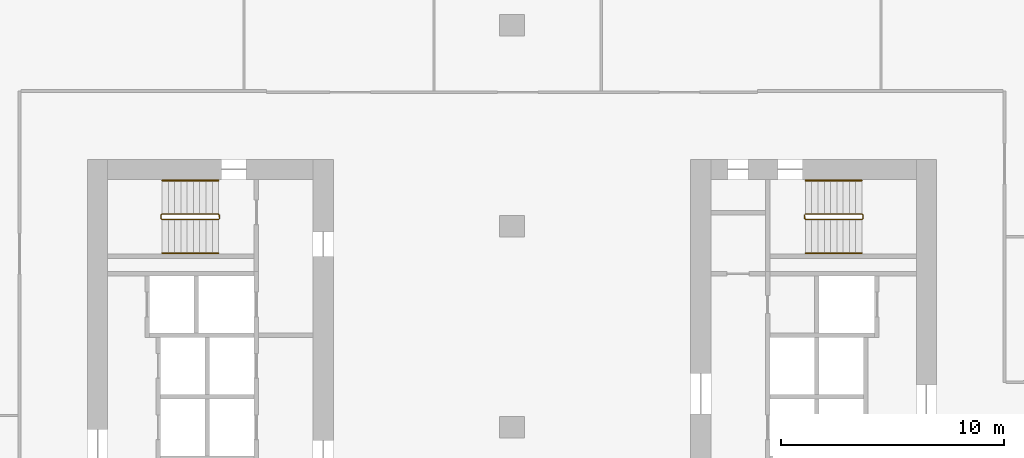
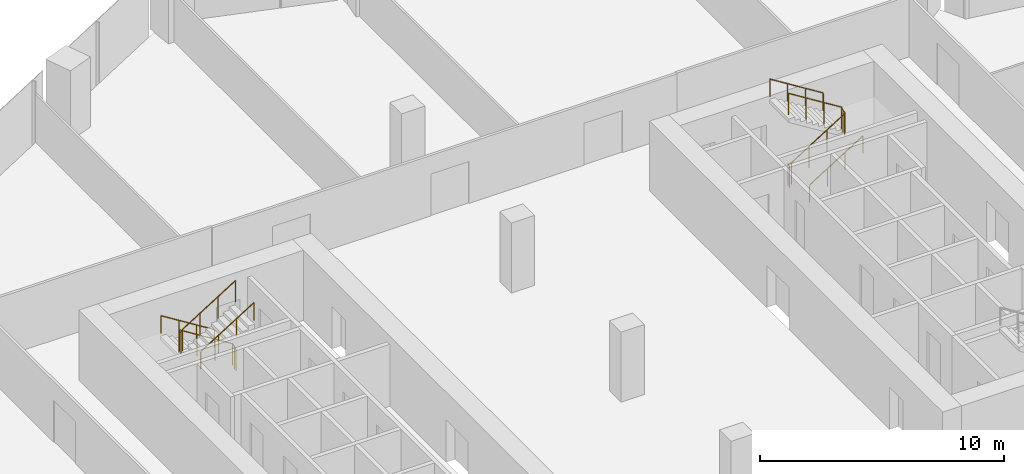
# One storey, part 34 of 34: 6 railings.
"""IFC4 building model written with IfcOpenShell, lengths in metres."""

import ifcopenshell
import ifcopenshell.guid

model = None  # the IFC model being written
_history = None  # IfcOwnerHistory: only IFC2X3 demands one
_inside = {}  # id of a spatial element -> (the spatial element, [elements in it])
_under = {}  # id of a project, library or spatial element -> (it, [spatial elements below it])
_declared = {}  # id of a project -> (the project, [libraries it declares])
_typed = {}  # id of a type object -> (the type object, [elements of that type])
_made_of = {}  # id of a material, layer set ... -> (it, [elements and type objects made of it])


def new_model(schema):
    """Start an empty IFC model of exactly this schema.

    Asked for "IFC4X3", IfcOpenShell would pick the latest addendum, in which some entities
    have other attributes; the version numbers below select the first issue.
    IFC2X3 requires an IfcOwnerHistory on every rooted entity: one is made here for all.
    """
    global model, _history
    if schema == "IFC4X3":
        model = ifcopenshell.file(schema_version=(4, 3, 0, 0))
    else:
        model = ifcopenshell.file(schema=schema)
    _inside.clear()
    _under.clear()
    _declared.clear()
    _typed.clear()
    _made_of.clear()
    _history = None
    if model.schema == "IFC2X3":
        org = make("IfcOrganization", Name="unknown")
        user = make(
            "IfcPersonAndOrganization",
            ThePerson=make("IfcPerson", FamilyName="unknown"),
            TheOrganization=org,
        )
        app = make(
            "IfcApplication",
            ApplicationDeveloper=org,
            Version="unknown",
            ApplicationFullName="unknown",
            ApplicationIdentifier="unknown",
        )
        _history = make(
            "IfcOwnerHistory",
            OwningUser=user,
            OwningApplication=app,
            ChangeAction="ADDED",
            CreationDate=0,
        )
    return model


def make(cls, **values):
    """One entity of the class cls with the attributes given. An attribute that is None is left unset."""
    return model.create_entity(
        cls, **{name: value for name, value in values.items() if value is not None}
    )


def rooted(cls, **values):
    """An entity with a GlobalId (a new one), such as an element, a storey or a relation."""
    return make(cls, GlobalId=ifcopenshell.guid.new(), OwnerHistory=_history, **values)


def si_unit(unit_type, name, prefix=None):
    """IfcSIUnit, for example si_unit("LENGTHUNIT", "METRE", prefix="MILLI")."""
    return make("IfcSIUnit", UnitType=unit_type, Prefix=prefix, Name=name)


def assignment(units):
    """IfcUnitAssignment: the units of a project."""
    return None if units is None else make("IfcUnitAssignment", Units=units)


def point(xyz):
    """IfcCartesianPoint."""
    return None if xyz is None else make("IfcCartesianPoint", Coordinates=xyz)


def direction(xyz):
    """IfcDirection."""
    return None if xyz is None else make("IfcDirection", DirectionRatios=xyz)


def frame(location, z_axis=None, x_axis=None):
    """IfcAxis2Placement3D, a coordinate frame: its origin and axes. An axis left out is left unset."""
    return make(
        "IfcAxis2Placement3D",
        Location=point(location),
        Axis=direction(z_axis),
        RefDirection=direction(x_axis),
    )


def frame_2d(location, x_axis=None):
    """IfcAxis2Placement2D, a coordinate frame in the plane: its origin and x axis."""
    return make(
        "IfcAxis2Placement2D", Location=point(location), RefDirection=direction(x_axis)
    )


def origin():
    """The frame at (0, 0, 0) with its axes left unset."""
    return frame((0.0, 0.0, 0.0))


def origin_2d():
    """The frame at (0, 0) in the plane with its x axis left unset."""
    return frame_2d((0.0, 0.0))


def place(relative_to, where):
    """IfcLocalPlacement: puts the frame where relative to a parent placement (None: the world)."""
    return make(
        "IfcLocalPlacement", PlacementRelTo=relative_to, RelativePlacement=where
    )


def context(
    kind, dimensions, precision=None, world=None, true_north=None, identifier=None
):
    """IfcGeometricRepresentationContext, for example the 3D "Model" context."""
    return make(
        "IfcGeometricRepresentationContext",
        ContextIdentifier=identifier,
        ContextType=kind,
        CoordinateSpaceDimension=dimensions,
        Precision=precision,
        WorldCoordinateSystem=world,
        TrueNorth=true_north,
    )


def subcontext(parent, identifier, kind, view, scale=None):
    """IfcGeometricRepresentationSubContext, for example "Body" below "Model"."""
    return make(
        "IfcGeometricRepresentationSubContext",
        ContextIdentifier=identifier,
        ContextType=kind,
        ParentContext=parent,
        TargetScale=scale,
        TargetView=view,
    )


def project(units=None, contexts=None):
    """IfcProject with its units and contexts."""
    return rooted(
        "IfcProject",
        Name="project",
        RepresentationContexts=contexts,
        UnitsInContext=assignment(units),
    )


def spatial(cls, under=None, at=None, **own):
    """A site, building, storey or space (cls), placed at a placement, below another one or the project."""
    s = rooted(cls, ObjectPlacement=at, **own)
    if under is not None:
        _under.setdefault(under.id(), (under, []))[1].append(s)
    return s


def profile(cls, at=None, kind="AREA", **sizes):
    """A parametric profile (cls). Its sizes go by their IFC names, for example OverallWidth=200.0."""
    return make(cls, ProfileType=kind, Position=at, **sizes)


def circle(**sizes):
    """IfcCircleProfileDef."""
    return profile("IfcCircleProfileDef", **sizes)


def extrude(swept, where, along, depth):
    """IfcExtrudedAreaSolid: the profile swept, set in the frame where, extruded along a direction by depth."""
    return make(
        "IfcExtrudedAreaSolid",
        SweptArea=swept,
        Position=where,
        ExtrudedDirection=direction(along),
        Depth=depth,
    )


def shape(context_of_items, identifier, shape_type, items):
    """IfcShapeRepresentation: the items that make up one representation, for example the "Body"."""
    return make(
        "IfcShapeRepresentation",
        ContextOfItems=context_of_items,
        RepresentationIdentifier=identifier,
        RepresentationType=shape_type,
        Items=items,
    )


def material(Name=None, Category=None):
    """IfcMaterial."""
    return make("IfcMaterial", Name=Name, Category=Category)


def made_of(thing, what):
    """Note that an element or type object is made of a material, layer set ...; save() writes the relation."""
    if what is not None:
        _made_of.setdefault(what.id(), (what, []))[1].append(thing)
    return thing


def type_object(cls, material=None, **own):
    """A type object (cls), such as IfcWallType, which elements share."""
    return made_of(rooted(cls, **own), material)


def element(
    cls,
    number,
    at=None,
    inside=None,
    cuts=None,
    type_object=None,
    material=None,
    context=None,
    identifier="Body",
    shape_type=None,
    held_by="IfcProductDefinitionShape",
    body=None,
    shapes=None,
    **own,
):
    """One element of the class cls, such as IfcWall. Its Tag is "e" and its number.

    at: its placement. inside: the storey or other place that contains it. cuts: it is an
    opening in that element (IfcRelVoidsElement). A single representation is given by context,
    identifier, shape_type and body (its items); several are given by shapes. held_by: the class
    of the entity that holds the representations. save() writes the other relations.
    """
    e = rooted(cls, Tag="e%d" % number, ObjectPlacement=at, **own)
    if body is not None:
        shapes = [shape(context, identifier, shape_type, body)]
    if shapes is not None:
        e.Representation = make(held_by, Representations=shapes)
    if inside is not None:
        _inside.setdefault(inside.id(), (inside, []))[1].append(e)
    if cuts is not None:
        rooted(
            "IfcRelVoidsElement", RelatingBuildingElement=cuts, RelatedOpeningElement=e
        )
    if type_object is not None:
        _typed.setdefault(type_object.id(), (type_object, []))[1].append(e)
    return made_of(e, material)


def aggregate(whole, parts):
    """IfcRelAggregates: a whole, such as a stair, and the parts it consists of."""
    return rooted("IfcRelAggregates", RelatingObject=whole, RelatedObjects=parts)


def save(model, path):
    """Write the relations noted so far, then the file.

    IfcRelAggregates (storeys below a building ...), IfcRelContainedInSpatialStructure (elements
    in a storey), IfcRelDefinesByType, IfcRelAssociatesMaterial and IfcRelDeclares: one each for
    every whole, place, type object, material and project.
    """
    for whole, parts in _under.values():
        aggregate(whole, parts)
    for where, things in _inside.values():
        rooted(
            "IfcRelContainedInSpatialStructure",
            RelatedElements=things,
            RelatingStructure=where,
        )
    for kind, things in _typed.values():
        rooted("IfcRelDefinesByType", RelatedObjects=things, RelatingType=kind)
    for what, things in _made_of.values():
        rooted("IfcRelAssociatesMaterial", RelatedObjects=things, RelatingMaterial=what)
    for by, libraries in _declared.values():
        rooted("IfcRelDeclares", RelatingContext=by, RelatedDefinitions=libraries)
    model.write(path)


model = new_model("IFC4")

# Units and contexts
model_context = context("Model", 3, precision=1e-05, world=origin(), true_north=direction((0.0, 1.0)))
body_context = subcontext(model_context, "Body", "Model", "MODEL_VIEW")
ifc_project = project(units=[si_unit("LENGTHUNIT", "METRE"), si_unit("AREAUNIT", "SQUARE_METRE"), si_unit("VOLUMEUNIT", "CUBIC_METRE"), si_unit("PLANEANGLEUNIT", "RADIAN"), si_unit("MASSUNIT", "GRAM", prefix="KILO")], contexts=[model_context])

# Site, building, storey
site_placement = place(None, origin())
site = spatial("IfcSite", under=ifc_project, at=site_placement, CompositionType="ELEMENT")
building_placement = place(site_placement, origin())
building = spatial("IfcBuilding", under=site, at=building_placement, Name="Orlundy Tower", CompositionType="ELEMENT")
storey_placement = place(building_placement, frame((0.0, 0.0, 134.199951171875)))
storey = spatial("IfcBuildingStorey", under=building, at=storey_placement, Name="L34", CompositionType="ELEMENT", Elevation=134.199951171875)

# Railings
ifc_material_1 = material(Name="Steel balustrade", Category="steel")
railing_type_1 = type_object("IfcRailingType", Name="Stair Guard 1100", PredefinedType="GUARDRAIL", material=ifc_material_1)
railing_1_placement = place(storey_placement, frame((-13.090087890625, 9.5, 0.0)))
element("IfcRailing", 1, at=railing_1_placement, inside=storey, type_object=railing_type_1, Name="L34 ST-W1 stair guard 1", PredefinedType="GUARDRAIL", context=body_context, shape_type="SweptSolid", body=[
    extrude(circle(Radius=0.02392578125, at=origin_2d()), frame((0.0, 0.0, 1.076171875), z_axis=(0.0, -1.0, 0.0), x_axis=(1.0, 0.0, 0.0)), (0.0, 0.0, 1.0), 0.14990234375),
    extrude(circle(Radius=0.02392578125, at=origin_2d()), frame((0.0, -0.14990234375, 1.076171875), z_axis=(-0.18420542264, 0.739530593833, 0.647427882513), x_axis=(-0.970351222016, -0.241699205484, 0.0)), (0.0, 0.0, 1.0), 0.270263671875),
    extrude(circle(Radius=0.02392578125, at=origin_2d()), frame((-0.0498046875, 0.050048828125, 1.2509765625), z_axis=(-0.848007534815, 0.0, 0.529984170421), x_axis=(0.0, -1.0, 0.0)), (0.0, 0.0, 1.0), 2.9716796875),
    extrude(circle(Radius=0.02392578125, at=origin_2d()), frame((-2.56982421875, 0.050048828125, 2.826171875), z_axis=(-0.707106781187, -0.707106781187, 0.0), x_axis=(0.707106781187, -0.707106781187, 0.0)), (0.0, 0.0, 1.0), 0.07080078125),
    extrude(circle(Radius=0.02392578125, at=origin_2d()), frame((-2.619873046875, 0.0, 2.826171875), z_axis=(0.0, -1.0, 0.0), x_axis=(1.0, 0.0, 0.0)), (0.0, 0.0, 1.0), 0.14990234375),
    extrude(circle(Radius=0.02392578125, at=origin_2d()), frame((-2.619873046875, -0.14990234375, 2.826171875), z_axis=(0.265065253269, -0.265065253269, 0.927081885822), x_axis=(0.707106781187, 0.707106781187, 0.0)), (0.0, 0.0, 1.0), 0.188720703125),
    extrude(circle(Radius=0.02392578125, at=origin_2d()), frame((-2.56982421875, -0.199951171875, 3.0009765625), z_axis=(0.848007534815, 0.0, 0.529984170421), x_axis=(0.0, 1.0, 0.0)), (0.0, 0.0, 1.0), 2.9716796875),
    extrude(circle(Radius=0.02099609375, at=origin_2d()), origin(), (0.0, 0.0, 1.0), 1.052001953125),
    extrude(circle(Radius=0.02099609375, at=origin_2d()), frame((0.0, -0.14990234375, 0.0)), (0.0, 0.0, 1.0), 1.052001953125),
    extrude(circle(Radius=0.02099609375, at=origin_2d()), frame((-0.0498046875, 0.050048828125, 0.175048828125)), (0.0, 0.0, 1.0), 1.052001953125),
    extrude(circle(Radius=0.02099609375, at=origin_2d()), frame((-0.889892578125, 0.050048828125, 0.699951171875)), (0.0, 0.0, 1.0), 1.052001953125),
    extrude(circle(Radius=0.02099609375, at=origin_2d()), frame((-1.729736328125, 0.050048828125, 1.22509765625)), (0.0, 0.0, 1.0), 1.052001953125),
    extrude(circle(Radius=0.02099609375, at=origin_2d()), frame((-2.56982421875, 0.050048828125, 1.75)), (0.0, 0.0, 1.0), 1.052001953125),
    extrude(circle(Radius=0.02099609375, at=origin_2d()), frame((-2.619873046875, 0.0, 1.75)), (0.0, 0.0, 1.0), 1.052001953125),
    extrude(circle(Radius=0.02099609375, at=origin_2d()), frame((-2.619873046875, -0.14990234375, 1.75)), (0.0, 0.0, 1.0), 1.052001953125),
    extrude(circle(Radius=0.02099609375, at=origin_2d()), frame((-2.56982421875, -0.199951171875, 1.925048828125)), (0.0, 0.0, 1.0), 1.052001953125),
    extrude(circle(Radius=0.02099609375, at=origin_2d()), frame((-1.729736328125, -0.199951171875, 2.449951171875)), (0.0, 0.0, 1.0), 1.052001953125),
    extrude(circle(Radius=0.02099609375, at=origin_2d()), frame((-0.889892578125, -0.199951171875, 2.97509765625)), (0.0, 0.0, 1.0), 1.052001953125),
    extrude(circle(Radius=0.02099609375, at=origin_2d()), frame((-0.0498046875, -0.199951171875, 3.5)), (0.0, 0.0, 1.0), 1.052001953125),
])
railing_2_placement = place(storey_placement, frame((13.090087890625, 9.35009765625, 0.0)))
element("IfcRailing", 2, at=railing_2_placement, inside=storey, type_object=railing_type_1, Name="L34 ST-E2 stair guard 1", PredefinedType="GUARDRAIL", context=body_context, shape_type="SweptSolid", body=[
    extrude(circle(Radius=0.02392578125, at=origin_2d()), frame((0.0, 0.0, 1.076171875), z_axis=(0.0, 1.0, 0.0), x_axis=(-1.0, 0.0, 0.0)), (0.0, 0.0, 1.0), 0.14990234375),
    extrude(circle(Radius=0.02392578125, at=origin_2d()), frame((0.0, 0.14990234375, 1.076171875), z_axis=(0.18420542264, -0.739530593833, 0.647427882513), x_axis=(0.970351222016, 0.241699205484, 0.0)), (0.0, 0.0, 1.0), 0.270263671875),
    extrude(circle(Radius=0.02392578125, at=origin_2d()), frame((0.0498046875, -0.050048828125, 1.2509765625), z_axis=(0.848007534815, 0.0, 0.529984170421), x_axis=(0.0, 1.0, 0.0)), (0.0, 0.0, 1.0), 2.9716796875),
    extrude(circle(Radius=0.02392578125, at=origin_2d()), frame((2.56982421875, -0.050048828125, 2.826171875), z_axis=(0.707106781187, 0.707106781187, 0.0), x_axis=(-0.707106781187, 0.707106781187, 0.0)), (0.0, 0.0, 1.0), 0.07080078125),
    extrude(circle(Radius=0.02392578125, at=origin_2d()), frame((2.619873046875, 0.0, 2.826171875), z_axis=(0.0, 1.0, 0.0), x_axis=(-1.0, 0.0, 0.0)), (0.0, 0.0, 1.0), 0.14990234375),
    extrude(circle(Radius=0.02392578125, at=origin_2d()), frame((2.619873046875, 0.14990234375, 2.826171875), z_axis=(-0.265065253269, 0.265065253269, 0.927081885822), x_axis=(-0.707106781187, -0.707106781187, 0.0)), (0.0, 0.0, 1.0), 0.188720703125),
    extrude(circle(Radius=0.02392578125, at=origin_2d()), frame((2.56982421875, 0.199951171875, 3.0009765625), z_axis=(-0.848007534815, 0.0, 0.529984170421), x_axis=(0.0, -1.0, 0.0)), (0.0, 0.0, 1.0), 2.9716796875),
    extrude(circle(Radius=0.02099609375, at=origin_2d()), origin(), (0.0, 0.0, 1.0), 1.052001953125),
    extrude(circle(Radius=0.02099609375, at=origin_2d()), frame((0.0, 0.14990234375, 0.0)), (0.0, 0.0, 1.0), 1.052001953125),
    extrude(circle(Radius=0.02099609375, at=origin_2d()), frame((0.0498046875, -0.050048828125, 0.175048828125)), (0.0, 0.0, 1.0), 1.052001953125),
    extrude(circle(Radius=0.02099609375, at=origin_2d()), frame((0.889892578125, -0.050048828125, 0.699951171875)), (0.0, 0.0, 1.0), 1.052001953125),
    extrude(circle(Radius=0.02099609375, at=origin_2d()), frame((1.729736328125, -0.050048828125, 1.22509765625)), (0.0, 0.0, 1.0), 1.052001953125),
    extrude(circle(Radius=0.02099609375, at=origin_2d()), frame((2.56982421875, -0.050048828125, 1.75)), (0.0, 0.0, 1.0), 1.052001953125),
    extrude(circle(Radius=0.02099609375, at=origin_2d()), frame((2.619873046875, 0.0, 1.75)), (0.0, 0.0, 1.0), 1.052001953125),
    extrude(circle(Radius=0.02099609375, at=origin_2d()), frame((2.619873046875, 0.14990234375, 1.75)), (0.0, 0.0, 1.0), 1.052001953125),
    extrude(circle(Radius=0.02099609375, at=origin_2d()), frame((2.56982421875, 0.199951171875, 1.925048828125)), (0.0, 0.0, 1.0), 1.052001953125),
    extrude(circle(Radius=0.02099609375, at=origin_2d()), frame((1.729736328125, 0.199951171875, 2.449951171875)), (0.0, 0.0, 1.0), 1.052001953125),
    extrude(circle(Radius=0.02099609375, at=origin_2d()), frame((0.889892578125, 0.199951171875, 2.97509765625)), (0.0, 0.0, 1.0), 1.052001953125),
    extrude(circle(Radius=0.02099609375, at=origin_2d()), frame((0.0498046875, 0.199951171875, 3.5)), (0.0, 0.0, 1.0), 1.052001953125),
])
ifc_material_2 = material(Name="Steel handrail", Category="steel")
railing_type_2 = type_object("IfcRailingType", Name="Stair Handrail 900", PredefinedType="HANDRAIL", material=ifc_material_2)
railing_3_placement = place(storey_placement, frame((-13.139892578125, 11.050048828125, 0.175048828125)))
element("IfcRailing", 3, at=railing_3_placement, inside=storey, type_object=railing_type_2, Name="L34 ST-W1 stair handrail 1", PredefinedType="HANDRAIL", context=body_context, shape_type="SweptSolid", body=[
    extrude(circle(Radius=0.02392578125, at=origin_2d()), frame((0.0, 0.0, 0.8759765625), z_axis=(-0.848007534815, 0.0, 0.529984170421), x_axis=(0.0, -1.0, 0.0)), (0.0, 0.0, 1.0), 2.9716796875),
    extrude(circle(Radius=0.02099609375, at=origin_2d()), origin(), (0.0, 0.0, 1.0), 0.851806640625),
    extrude(circle(Radius=0.02099609375, at=origin_2d()), frame((-0.840087890625, 0.0, 0.52490234375)), (0.0, 0.0, 1.0), 0.851806640625),
    extrude(circle(Radius=0.02099609375, at=origin_2d()), frame((-1.679931640625, 0.0, 1.050048828125)), (0.0, 0.0, 1.0), 0.851806640625),
    extrude(circle(Radius=0.02099609375, at=origin_2d()), frame((-2.52001953125, 0.0, 1.574951171875)), (0.0, 0.0, 1.0), 0.851806640625),
])
for number, where, name in (
    (4, (-15.659912109375, 7.800048828125, 1.925048828125), "L34 ST-W1 stair handrail 2"),
    (5, (13.139892578125, 7.800048828125, 0.175048828125), "L34 ST-E2 stair handrail 1"),
):
    element("IfcRailing", number, at=place(storey_placement, frame(where)), inside=storey, type_object=railing_type_2, Name=name, PredefinedType="HANDRAIL", context=body_context, shape_type="SweptSolid", body=[
        extrude(circle(Radius=0.02392578125, at=origin_2d()), frame((0.0, 0.0, 0.8759765625), z_axis=(0.848007534815, 0.0, 0.529984170421), x_axis=(0.0, 1.0, 0.0)), (0.0, 0.0, 1.0), 2.9716796875),
        extrude(circle(Radius=0.02099609375, at=origin_2d()), origin(), (0.0, 0.0, 1.0), 0.851806640625),
        extrude(circle(Radius=0.02099609375, at=origin_2d()), frame((0.840087890625, 0.0, 0.52490234375)), (0.0, 0.0, 1.0), 0.851806640625),
        extrude(circle(Radius=0.02099609375, at=origin_2d()), frame((1.679931640625, 0.0, 1.050048828125)), (0.0, 0.0, 1.0), 0.851806640625),
        extrude(circle(Radius=0.02099609375, at=origin_2d()), frame((2.52001953125, 0.0, 1.574951171875)), (0.0, 0.0, 1.0), 0.851806640625),
    ])
railing_4_placement = place(storey_placement, frame((15.659912109375, 11.050048828125, 1.925048828125)))
element("IfcRailing", 6, at=railing_4_placement, inside=storey, type_object=railing_type_2, Name="L34 ST-E2 stair handrail 2", PredefinedType="HANDRAIL", context=body_context, shape_type="SweptSolid", body=[
    extrude(circle(Radius=0.02392578125, at=origin_2d()), frame((0.0, 0.0, 0.8759765625), z_axis=(-0.848007534815, 0.0, 0.529984170421), x_axis=(0.0, -1.0, 0.0)), (0.0, 0.0, 1.0), 2.9716796875),
    extrude(circle(Radius=0.02099609375, at=origin_2d()), origin(), (0.0, 0.0, 1.0), 0.851806640625),
    extrude(circle(Radius=0.02099609375, at=origin_2d()), frame((-0.840087890625, 0.0, 0.52490234375)), (0.0, 0.0, 1.0), 0.851806640625),
    extrude(circle(Radius=0.02099609375, at=origin_2d()), frame((-1.679931640625, 0.0, 1.050048828125)), (0.0, 0.0, 1.0), 0.851806640625),
    extrude(circle(Radius=0.02099609375, at=origin_2d()), frame((-2.52001953125, 0.0, 1.574951171875)), (0.0, 0.0, 1.0), 0.851806640625),
])

save(model, "model.ifc")
